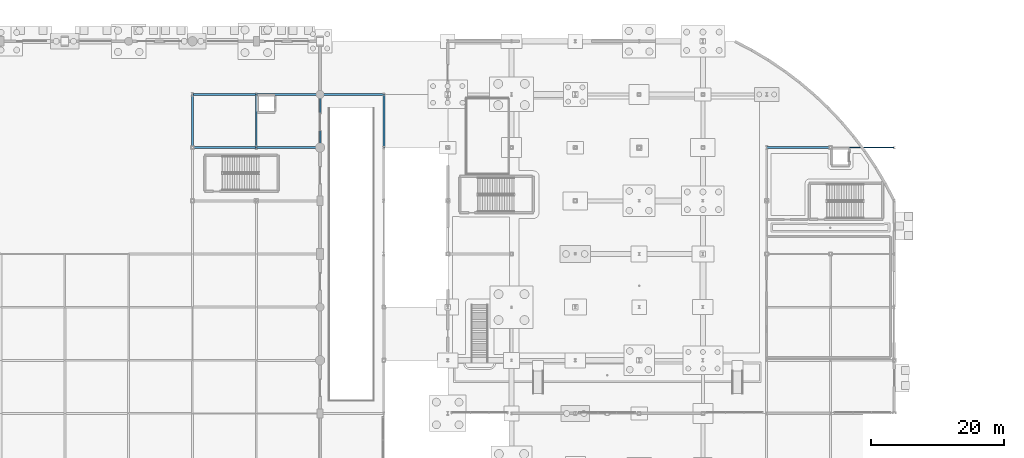
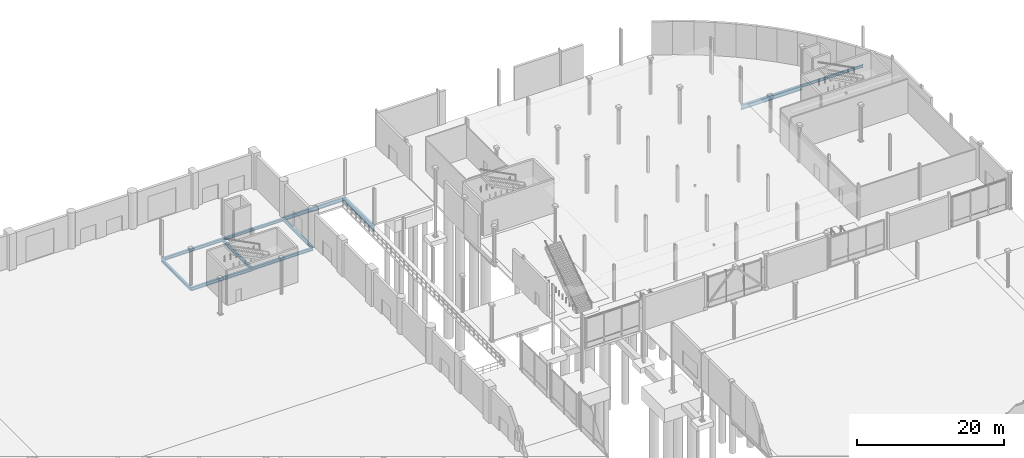
# One storey, part 65 of 124: 11 beams.
"""IFC4 building model written with IfcOpenShell, lengths in metres."""

from ifc_helpers import new_model, si_unit, direction, frame, origin, origin_2d, place, context, subcontext, project, spatial, i_section, extrude, material, material_profile, profile_set, type_object, element, save


model = new_model("IFC4")

# Units and contexts
model_context = context("Model", 3, precision=1e-05, world=origin(), true_north=direction((0.0, 1.0)))
body_context = subcontext(model_context, "Body", "Model", "MODEL_VIEW")
ifc_project = project(units=[si_unit("LENGTHUNIT", "METRE"), si_unit("AREAUNIT", "SQUARE_METRE"), si_unit("VOLUMEUNIT", "CUBIC_METRE"), si_unit("PLANEANGLEUNIT", "RADIAN"), si_unit("MASSUNIT", "GRAM", prefix="KILO")], contexts=[model_context])

# Site, building, storey
site_placement = place(None, origin())
site = spatial("IfcSite", under=ifc_project, at=site_placement, CompositionType="ELEMENT")
building_placement = place(site_placement, origin())
building = spatial("IfcBuilding", under=site, at=building_placement, Name="Danafjord Basin Convention Centre", CompositionType="ELEMENT")
storey_placement = place(building_placement, origin())
storey = spatial("IfcBuildingStorey", under=building, at=storey_placement, Name="L00", CompositionType="ELEMENT", Elevation=0.0)

# Beams
ifc_material = material(Name="Steel S355", Category="steel")
ifc_material_profile_1 = material_profile(ifc_material, i_section(OverallWidth=0.300048828125, OverallDepth=0.590087890625, WebThickness=0.012939453125, FlangeThickness=0.02490234375, FilletRadius=0.027099609375, at=origin_2d()), Name="HEA 600")
ifc_profile_set_1 = profile_set([ifc_material_profile_1], Name="Steel S355")
beam_type_1 = type_object("IfcBeamType", Name="BEAM-BM-HEA600", PredefinedType="BEAM", material=ifc_profile_set_1)
beam_1_placement = place(storey_placement, frame((115.199951171875, 136.0, -0.5849609375), z_axis=(1.0, 0.0, 0.0), x_axis=(0.0, 1.0, 0.0)))
element("IfcBeam", 1, at=beam_1_placement, inside=storey, type_object=beam_type_1, Name="L00 girder BM-HEA600", PredefinedType="BEAM", context=body_context, shape_type="SweptSolid", body=[
    extrude(i_section(OverallWidth=0.300048828125, OverallDepth=0.590087890625, WebThickness=0.012939453125, FlangeThickness=0.02490234375, FilletRadius=0.027099609375, at=origin_2d()), origin(), (0.0, 0.0, 1.0), 9.60009765625),
])
ifc_material_profile_2 = material_profile(ifc_material, i_section(OverallWidth=0.300048828125, OverallDepth=0.449951171875, WebThickness=0.013916015625, FlangeThickness=0.02587890625, FilletRadius=0.027099609375, at=origin_2d()), Name="HEB 450")
ifc_profile_set_2 = profile_set([ifc_material_profile_2], Name="Steel S355")
beam_type_2 = type_object("IfcBeamType", Name="BEAM-BM-HEB450", PredefinedType="BEAM", material=ifc_profile_set_2)
beam_2_placement = place(storey_placement, frame((105.60009765625, 136.0, -0.64501953125), z_axis=(1.0, 0.0, 0.0), x_axis=(0.0, 1.0, 0.0)))
element("IfcBeam", 2, at=beam_2_placement, inside=storey, type_object=beam_type_2, Name="L00 girder BM-HEB450", PredefinedType="BEAM", context=body_context, shape_type="SweptSolid", body=[
    extrude(i_section(OverallWidth=0.300048828125, OverallDepth=0.449951171875, WebThickness=0.013916015625, FlangeThickness=0.02587890625, FilletRadius=0.027099609375, at=origin_2d()), origin(), (0.0, 0.0, 1.0), 9.599853515625),
])
ifc_material_profile_3 = material_profile(ifc_material, i_section(OverallWidth=0.300048828125, OverallDepth=0.5, WebThickness=0.014404296875, FlangeThickness=0.028076171875, FilletRadius=0.027099609375, at=origin_2d()), Name="HEB 500")
ifc_profile_set_3 = profile_set([ifc_material_profile_3], Name="Steel S355")
beam_type_3 = type_object("IfcBeamType", Name="BEAM-BM-HEB500", PredefinedType="BEAM", material=ifc_profile_set_3)
beam_3_placement = place(storey_placement, frame((96.0, 136.0, -0.669921875), z_axis=(1.0, 0.0, 0.0), x_axis=(0.0, 1.0, 0.0)))
element("IfcBeam", 3, at=beam_3_placement, inside=storey, type_object=beam_type_3, Name="L00 girder BM-HEB500", PredefinedType="BEAM", context=body_context, shape_type="SweptSolid", body=[
    extrude(i_section(OverallWidth=0.300048828125, OverallDepth=0.5, WebThickness=0.014404296875, FlangeThickness=0.028076171875, FilletRadius=0.027099609375, at=origin_2d()), origin(), (0.0, 0.0, 1.0), 9.60009765625),
])
beam_4_placement = place(storey_placement, frame((105.60009765625, 128.0, -0.669921875), z_axis=(1.0, 0.0, 0.0), x_axis=(0.0, 1.0, 0.0)))
element("IfcBeam", 4, at=beam_4_placement, inside=storey, type_object=beam_type_3, Name="L00 girder BM-HEB500", PredefinedType="BEAM", context=body_context, shape_type="SweptSolid", body=[
    extrude(i_section(OverallWidth=0.300048828125, OverallDepth=0.5, WebThickness=0.014404296875, FlangeThickness=0.028076171875, FilletRadius=0.027099609375, at=origin_2d()), origin(), (0.0, 0.0, 1.0), 9.599853515625),
])
beam_5_placement = place(storey_placement, frame((96.0, 128.0, -0.669921875), z_axis=(0.0, 1.0, 0.0), x_axis=(-1.0, 0.0, 0.0)))
element("IfcBeam", 5, at=beam_5_placement, inside=storey, type_object=beam_type_3, Name="L00 transverse girder BM-HEB500", PredefinedType="BEAM", context=body_context, shape_type="SweptSolid", body=[
    extrude(i_section(OverallWidth=0.300048828125, OverallDepth=0.5, WebThickness=0.014404296875, FlangeThickness=0.028076171875, FilletRadius=0.027099609375, at=origin_2d()), origin(), (0.0, 0.0, 1.0), 8.0),
])
ifc_material_profile_4 = material_profile(ifc_material, i_section(OverallWidth=0.300048828125, OverallDepth=0.550048828125, WebThickness=0.014892578125, FlangeThickness=0.029052734375, FilletRadius=0.027099609375, at=origin_2d()), Name="HEB 550")
ifc_profile_set_4 = profile_set([ifc_material_profile_4], Name="Steel S355")
beam_type_4 = type_object("IfcBeamType", Name="BEAM-BM-HEB550", PredefinedType="BEAM", material=ifc_profile_set_4)
beam_6_placement = place(storey_placement, frame((96.0, 128.0, -0.695068359375), z_axis=(1.0, 0.0, 0.0), x_axis=(0.0, 1.0, 0.0)))
element("IfcBeam", 6, at=beam_6_placement, inside=storey, type_object=beam_type_4, Name="L00 girder BM-HEB550", PredefinedType="BEAM", context=body_context, shape_type="SweptSolid", body=[
    extrude(i_section(OverallWidth=0.300048828125, OverallDepth=0.550048828125, WebThickness=0.014892578125, FlangeThickness=0.029052734375, FilletRadius=0.027099609375, at=origin_2d()), origin(), (0.0, 0.0, 1.0), 9.60009765625),
])
ifc_material_profile_5 = material_profile(ifc_material, i_section(OverallWidth=0.300048828125, OverallDepth=0.800048828125, WebThickness=0.017578125, FlangeThickness=0.032958984375, FilletRadius=0.030029296875, at=origin_2d()), Name="HEB 800")
ifc_profile_set_5 = profile_set([ifc_material_profile_5], Name="Steel S355")
beam_type_5 = type_object("IfcBeamType", Name="BEAM-BM-HEB800", PredefinedType="BEAM", material=ifc_profile_set_5)
beam_7_placement = place(storey_placement, frame((182.39990234375, 128.0, -0.739990234375), z_axis=(1.0, 0.0, 0.0), x_axis=(0.0, 1.0, 0.0)))
element("IfcBeam", 7, at=beam_7_placement, inside=storey, type_object=beam_type_5, Name="L00 girder BM-HEB800", PredefinedType="BEAM", context=body_context, shape_type="SweptSolid", body=[
    extrude(i_section(OverallWidth=0.300048828125, OverallDepth=0.800048828125, WebThickness=0.017578125, FlangeThickness=0.032958984375, FilletRadius=0.030029296875, at=origin_2d()), origin(), (0.0, 0.0, 1.0), 9.60009765625),
])
ifc_material_profile_6 = material_profile(ifc_material, i_section(OverallWidth=0.300048828125, OverallDepth=0.89990234375, WebThickness=0.0185546875, FlangeThickness=0.034912109375, FilletRadius=0.030029296875, at=origin_2d()), Name="HEB 900")
ifc_profile_set_6 = profile_set([ifc_material_profile_6], Name="Steel S355")
beam_type_6 = type_object("IfcBeamType", Name="BEAM-BM-HEB900", PredefinedType="BEAM", material=ifc_profile_set_6)
beam_8_placement = place(storey_placement, frame((124.800048828125, 128.0, -0.739990234375), z_axis=(0.0, 1.0, 0.0), x_axis=(-1.0, 0.0, 0.0)))
element("IfcBeam", 8, at=beam_8_placement, inside=storey, type_object=beam_type_6, Name="L00 transverse girder BM-HEB900", PredefinedType="BEAM", context=body_context, shape_type="SweptSolid", body=[
    extrude(i_section(OverallWidth=0.300048828125, OverallDepth=0.89990234375, WebThickness=0.0185546875, FlangeThickness=0.034912109375, FilletRadius=0.030029296875, at=origin_2d()), origin(), (0.0, 0.0, 1.0), 8.0),
])
ifc_material_profile_7 = material_profile(ifc_material, i_section(OverallWidth=0.2099609375, OverallDepth=0.550048828125, WebThickness=0.010986328125, FlangeThickness=0.01708984375, FilletRadius=0.02392578125, at=origin_2d()), Name="IPE 550")
ifc_profile_set_7 = profile_set([ifc_material_profile_7], Name="Steel S355")
beam_type_7 = type_object("IfcBeamType", Name="BEAM-BM-IPE550", PredefinedType="BEAM", material=ifc_profile_set_7)
beam_9_placement = place(storey_placement, frame((115.199951171875, 128.0, -0.695068359375), z_axis=(0.0, 1.0, 0.0), x_axis=(-1.0, 0.0, 0.0)))
element("IfcBeam", 9, at=beam_9_placement, inside=storey, type_object=beam_type_7, Name="L00 transverse girder BM-IPE550", PredefinedType="BEAM", context=body_context, shape_type="SweptSolid", body=[
    extrude(i_section(OverallWidth=0.2099609375, OverallDepth=0.550048828125, WebThickness=0.010986328125, FlangeThickness=0.01708984375, FilletRadius=0.02392578125, at=origin_2d()), origin(), (0.0, 0.0, 1.0), 8.0),
])
ifc_material_profile_8 = material_profile(ifc_material, i_section(OverallWidth=0.219970703125, OverallDepth=0.60009765625, WebThickness=0.011962890625, FlangeThickness=0.01904296875, FilletRadius=0.02392578125, at=origin_2d()), Name="IPE 600")
ifc_profile_set_8 = profile_set([ifc_material_profile_8], Name="Steel S355")
beam_type_8 = type_object("IfcBeamType", Name="BEAM-BM-IPE600", PredefinedType="BEAM", material=ifc_profile_set_8)
beam_10_placement = place(storey_placement, frame((105.60009765625, 128.0, -0.719970703125), z_axis=(0.0, 1.0, 0.0), x_axis=(-1.0, 0.0, 0.0)))
element("IfcBeam", 10, at=beam_10_placement, inside=storey, type_object=beam_type_8, Name="L00 transverse girder BM-IPE600", PredefinedType="BEAM", context=body_context, shape_type="SweptSolid", body=[
    extrude(i_section(OverallWidth=0.219970703125, OverallDepth=0.60009765625, WebThickness=0.011962890625, FlangeThickness=0.01904296875, FilletRadius=0.02392578125, at=origin_2d()), origin(), (0.0, 0.0, 1.0), 8.0),
])
ifc_material_profile_9 = material_profile(ifc_material, i_section(OverallWidth=0.18994140625, OverallDepth=0.449951171875, WebThickness=0.009521484375, FlangeThickness=0.0146484375, FilletRadius=0.02099609375, at=origin_2d()), Name="IPE 450")
ifc_profile_set_9 = profile_set([ifc_material_profile_9], Name="Steel S355")
beam_type_9 = type_object("IfcBeamType", Name="BEAM-SP-IPE450", PredefinedType="SPANDREL", material=ifc_profile_set_9)
beam_11_placement = place(storey_placement, frame((192.0, 128.0, -0.56494140625), z_axis=(1.0, 0.0, 0.0), x_axis=(0.0, 1.0, 0.0)))
element("IfcBeam", 11, at=beam_11_placement, inside=storey, type_object=beam_type_9, Name="L00 girder SP-IPE450", PredefinedType="SPANDREL", context=body_context, shape_type="SweptSolid", body=[
    extrude(i_section(OverallWidth=0.18994140625, OverallDepth=0.449951171875, WebThickness=0.009521484375, FlangeThickness=0.0146484375, FilletRadius=0.02099609375, at=origin_2d()), origin(), (0.0, 0.0, 1.0), 9.60009765625),
])

save(model, "model.ifc")
